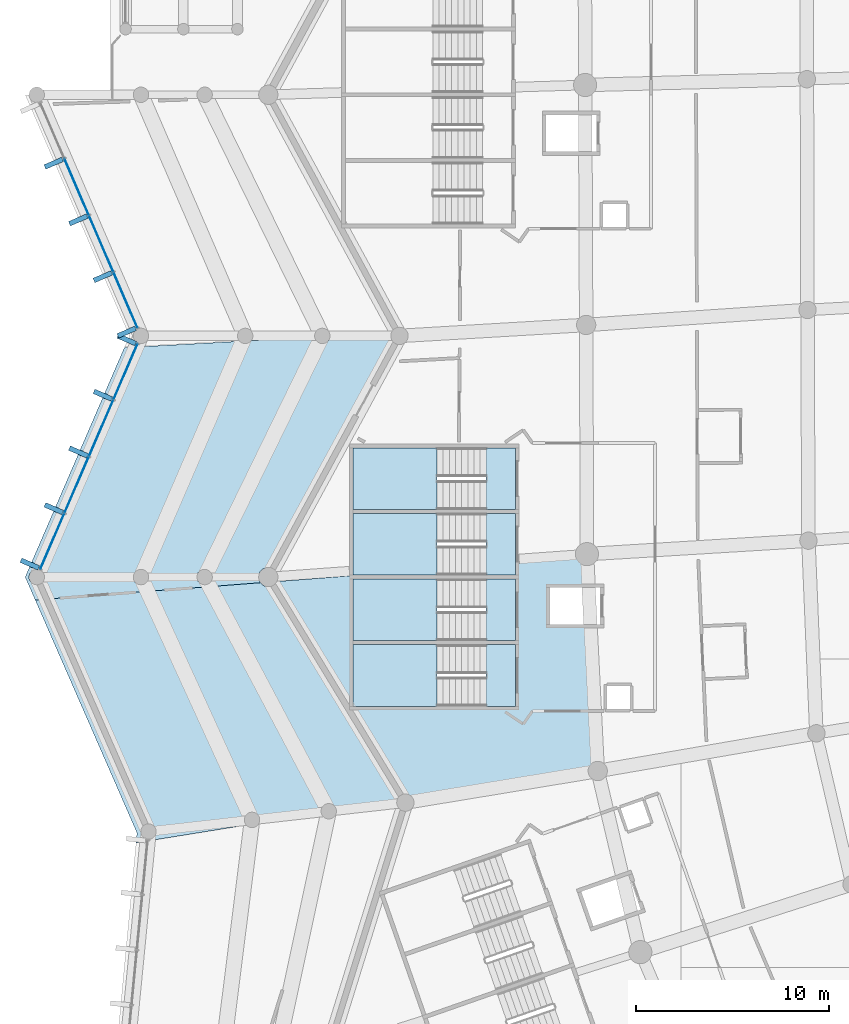
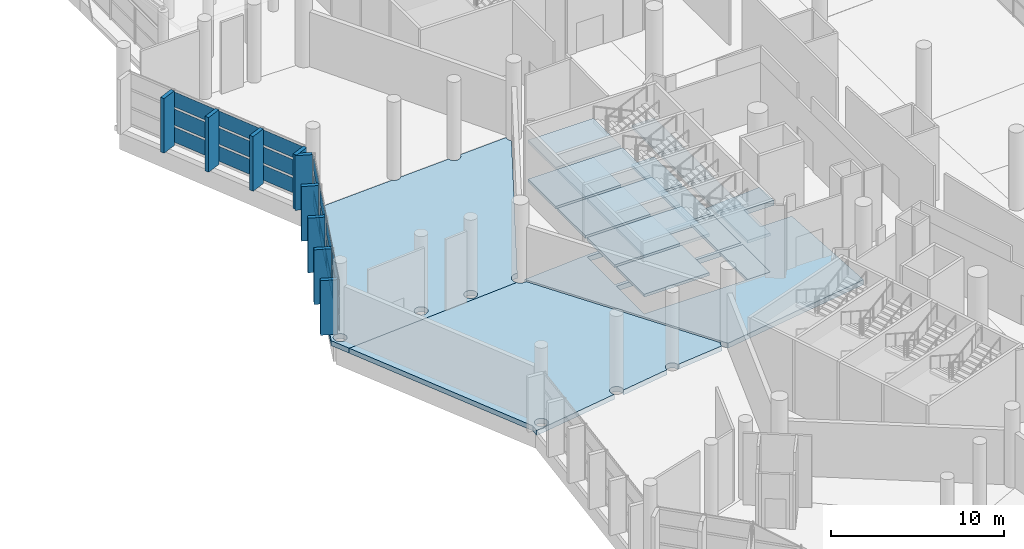
# One storey, part 121 of 271: 30 plates, 19 slabs, 6 elements without a shape of their own.
"""IFC4 building model written with IfcOpenShell, lengths in metres."""

from ifc_helpers import new_model, si_unit, direction, frame, origin, origin_2d, place, context, subcontext, project, spatial, polyline, rectangle, outline, extrude, material, layer, layer_set, type_object, element, aggregate, save


model = new_model("IFC4")

# Units and contexts
model_context = context("Model", 3, precision=1e-05, world=origin(), true_north=direction((0.0, 1.0)))
body_context = subcontext(model_context, "Body", "Model", "MODEL_VIEW")
ifc_project = project(units=[si_unit("LENGTHUNIT", "METRE"), si_unit("AREAUNIT", "SQUARE_METRE"), si_unit("VOLUMEUNIT", "CUBIC_METRE"), si_unit("PLANEANGLEUNIT", "RADIAN"), si_unit("MASSUNIT", "GRAM", prefix="KILO")], contexts=[model_context])

# Site, building, storey
site_placement = place(None, origin())
site = spatial("IfcSite", under=ifc_project, at=site_placement, CompositionType="ELEMENT")
building_placement = place(site_placement, origin())
building = spatial("IfcBuilding", under=site, at=building_placement, Name="Meseta Stadium", CompositionType="ELEMENT")
storey_placement = place(building_placement, frame((0.0, 0.0, 6.5)))
storey = spatial("IfcBuildingStorey", under=building, at=storey_placement, Name="L01", CompositionType="ELEMENT", Elevation=6.5)

# Slabs
ifc_material_1 = material(Name="Concrete C40/50", Category="concrete")
ifc_layer_1 = layer(ifc_material_1, 0.35009765625)
ifc_layer_set_1 = layer_set([ifc_layer_1], Name="Floor slab 350")
slab_type_1 = type_object("IfcSlabType", Name="Floor slab 350", PredefinedType="FLOOR", material=ifc_layer_set_1)
slab_1_placement = place(storey_placement, frame((0.0, 0.0, -0.35009765625)))
element("IfcSlab", 1, at=slab_1_placement, inside=storey, type_object=slab_type_1, Name="Floor slab L01 sector 35 panel 02", PredefinedType="FLOOR", context=body_context, shape_type="SweptSolid", body=[
    extrude(outline(polyline([(-88.60009765625, -43.028564453125), (-88.60009765625, -43.64990234375), (-96.697021484375, -43.64990234375), (-101.24853515625, -43.999267578125), (-94.29443359375, -55.44140625), (-84.3251953125, -53.801513671875), (-84.703125, -46.199951171875), (-86.800048828125, -46.199951171875), (-86.800048828125, -44.300048828125), (-84.797607421875, -44.300048828125), (-84.875, -42.74267578125), (-88.60009765625, -43.028564453125)]), holes=[polyline([(-97.0, -47.25), (-88.60009765625, -47.25), (-88.60009765625, -50.449951171875), (-97.0, -50.449951171875), (-97.0, -47.25)]), polyline([(-97.0, -47.050048828125), (-97.0, -43.85009765625), (-88.60009765625, -43.85009765625), (-88.60009765625, -47.050048828125), (-97.0, -47.050048828125)])]), origin(), (0.0, 0.0, 1.0), 0.35009765625),
])
slab_2_placement = place(storey_placement, frame((0.0, 0.0, -0.35009765625)))
element("IfcSlab", 2, at=slab_2_placement, inside=storey, type_object=slab_type_1, Name="Ring floor slab L01 5 part 2 panel 01", PredefinedType="FLOOR", context=body_context, shape_type="SweptSolid", body=[
    extrude(outline(polyline([(-102.890869140625, -31.5283203125), (-108.861572265625, -31.85546875), (-114.0, -43.75), (-113.480712890625, -44.938232421875), (-101.80615234375, -44.0419921875), (-101.836669921875, -44.002197265625), (-101.88720703125, -43.880615234375), (-101.904296875, -43.75), (-101.88720703125, -43.619384765625), (-101.836669921875, -43.497802734375), (-101.756591796875, -43.393310546875), (-101.652099609375, -43.313232421875), (-101.530517578125, -43.262939453125), (-101.39990234375, -43.24560546875), (-101.30322265625, -43.25830078125), (-94.935302734375, -31.55224609375), (-94.9931640625, -31.476806640625), (-95.038330078125, -31.367431640625), (-95.053955078125, -31.25), (-95.038330078125, -31.132568359375), (-95.023681640625, -31.0966796875), (-98.19921875, -31.27099609375), (-98.210205078125, -31.3544921875), (-98.25048828125, -31.45166015625), (-98.314697265625, -31.535400390625), (-98.398193359375, -31.599365234375), (-98.49560546875, -31.6396484375), (-98.60009765625, -31.653564453125), (-98.704345703125, -31.6396484375), (-98.8017578125, -31.599365234375), (-98.88525390625, -31.535400390625), (-98.949462890625, -31.45166015625), (-98.98974609375, -31.3544921875), (-98.9951171875, -31.314697265625), (-102.28369140625, -31.494873046875), (-102.314697265625, -31.535400390625), (-102.398193359375, -31.599365234375), (-102.49560546875, -31.6396484375), (-102.60009765625, -31.653564453125), (-102.704345703125, -31.6396484375), (-102.8017578125, -31.599365234375), (-102.88525390625, -31.535400390625), (-102.890869140625, -31.5283203125)]), holes=[polyline([(-104.498291015625, -44.099365234375), (-104.595703125, -44.1396484375), (-104.699951171875, -44.153564453125), (-104.804443359375, -44.1396484375), (-104.901611328125, -44.099365234375), (-104.9853515625, -44.035400390625), (-105.04931640625, -43.95166015625), (-105.089599609375, -43.8544921875), (-105.103515625, -43.75), (-105.089599609375, -43.6455078125), (-105.04931640625, -43.54833984375), (-104.9853515625, -43.464599609375), (-104.901611328125, -43.400634765625), (-104.804443359375, -43.3603515625), (-104.699951171875, -43.346435546875), (-104.595703125, -43.3603515625), (-104.498291015625, -43.400634765625), (-104.414794921875, -43.464599609375), (-104.3505859375, -43.54833984375), (-104.310302734375, -43.6455078125), (-104.29638671875, -43.75), (-104.310302734375, -43.8544921875), (-104.3505859375, -43.95166015625), (-104.414794921875, -44.035400390625), (-104.498291015625, -44.099365234375)]), polyline([(-107.650634765625, -43.95166015625), (-107.714599609375, -44.035400390625), (-107.79833984375, -44.099365234375), (-107.8955078125, -44.1396484375), (-108.0, -44.153564453125), (-108.1044921875, -44.1396484375), (-108.20166015625, -44.099365234375), (-108.285400390625, -44.035400390625), (-108.349365234375, -43.95166015625), (-108.3896484375, -43.8544921875), (-108.403564453125, -43.75), (-108.3896484375, -43.6455078125), (-108.349365234375, -43.54833984375), (-108.285400390625, -43.464599609375), (-108.20166015625, -43.400634765625), (-108.1044921875, -43.3603515625), (-108.0, -43.346435546875), (-107.8955078125, -43.3603515625), (-107.79833984375, -43.400634765625), (-107.714599609375, -43.464599609375), (-107.650634765625, -43.54833984375), (-107.6103515625, -43.6455078125), (-107.596435546875, -43.75), (-107.6103515625, -43.8544921875), (-107.650634765625, -43.95166015625)]), polyline([(-113.601806640625, -44.099365234375), (-113.685302734375, -44.035400390625), (-113.74951171875, -43.95166015625), (-113.789794921875, -43.8544921875), (-113.803466796875, -43.75), (-113.789794921875, -43.6455078125), (-113.74951171875, -43.54833984375), (-113.685302734375, -43.464599609375), (-113.601806640625, -43.400634765625), (-113.50439453125, -43.3603515625), (-113.39990234375, -43.346435546875), (-113.295654296875, -43.3603515625), (-113.1982421875, -43.400634765625), (-113.11474609375, -43.464599609375), (-113.050537109375, -43.54833984375), (-113.01025390625, -43.6455078125), (-112.99658203125, -43.75), (-113.01025390625, -43.8544921875), (-113.050537109375, -43.95166015625), (-113.11474609375, -44.035400390625), (-113.1982421875, -44.099365234375), (-113.295654296875, -44.1396484375), (-113.39990234375, -44.153564453125), (-113.50439453125, -44.1396484375), (-113.601806640625, -44.099365234375)])]), origin(), (0.0, 0.0, 1.0), 0.35009765625),
])
slab_3_placement = place(storey_placement, frame((0.0, 0.0, -0.35009765625)))
element("IfcSlab", 3, at=slab_3_placement, inside=storey, type_object=slab_type_1, Name="Ring floor slab L01 5 part 2 panel 02", PredefinedType="FLOOR", context=body_context, shape_type="SweptSolid", body=[
    extrude(outline(polyline([(-108.255615234375, -57.526611328125), (-102.541748046875, -56.606201171875), (-102.593505859375, -56.538818359375), (-102.6337890625, -56.441650390625), (-102.647705078125, -56.337158203125), (-102.6337890625, -56.23291015625), (-102.593505859375, -56.135498046875), (-102.529296875, -56.052001953125), (-102.44580078125, -55.98779296875), (-102.348388671875, -55.947509765625), (-102.244140625, -55.93359375), (-102.1396484375, -55.947509765625), (-102.04248046875, -55.98779296875), (-101.958740234375, -56.052001953125), (-101.894775390625, -56.135498046875), (-101.8544921875, -56.23291015625), (-101.8408203125, -56.337158203125), (-101.8544921875, -56.441650390625), (-101.87841796875, -56.49951171875), (-98.66064453125, -55.981201171875), (-98.672607421875, -55.889404296875), (-98.658935546875, -55.784912109375), (-98.61865234375, -55.6875), (-98.554443359375, -55.60400390625), (-98.470947265625, -55.539794921875), (-98.373779296875, -55.49951171875), (-98.269287109375, -55.48583984375), (-98.164794921875, -55.49951171875), (-98.0673828125, -55.539794921875), (-97.98388671875, -55.60400390625), (-97.919921875, -55.6875), (-97.879638671875, -55.784912109375), (-97.87158203125, -55.844482421875), (-94.74169921875, -55.491943359375), (-94.748291015625, -55.44140625), (-94.73291015625, -55.323974609375), (-94.6875, -55.214599609375), (-94.64306640625, -55.156494140625), (-101.27880859375, -44.23828125), (-101.39990234375, -44.25439453125), (-101.530517578125, -44.237060546875), (-101.652099609375, -44.186767578125), (-101.756591796875, -44.106689453125), (-101.80615234375, -44.0419921875), (-113.480712890625, -44.938232421875), (-108.206298828125, -57.009033203125), (-108.255615234375, -57.526611328125)]), holes=[polyline([(-107.959716796875, -56.739990234375), (-107.8955078125, -56.656494140625), (-107.81201171875, -56.59228515625), (-107.714599609375, -56.552001953125), (-107.610107421875, -56.538330078125), (-107.505615234375, -56.552001953125), (-107.408447265625, -56.59228515625), (-107.324951171875, -56.656494140625), (-107.2607421875, -56.739990234375), (-107.220458984375, -56.83740234375), (-107.206787109375, -56.94189453125), (-107.220458984375, -57.046142578125), (-107.2607421875, -57.1435546875), (-107.324951171875, -57.22705078125), (-107.408447265625, -57.291259765625), (-107.505615234375, -57.33154296875), (-107.610107421875, -57.34521484375), (-107.714599609375, -57.33154296875), (-107.81201171875, -57.291259765625), (-107.8955078125, -57.22705078125), (-107.959716796875, -57.1435546875), (-108.0, -57.046142578125), (-108.013671875, -56.94189453125), (-108.0, -56.83740234375), (-107.959716796875, -56.739990234375)])]), origin(), (0.0, 0.0, 1.0), 0.35009765625),
])

# Curtain wall, plates
ifc_material_2 = material(Name="Aluminium", Category="aluminium")
ifc_layer_2 = layer(ifc_material_2, 0.199951171875)
ifc_layer_set_2 = layer_set([ifc_layer_2], Name="Ring shopfront curtain wall")
curtain_wall_type = type_object("IfcCurtainWallType", Name="Ring shopfront curtain wall", PredefinedType="NOTDEFINED", material=ifc_layer_set_2)
curtain_wall_1_placement = place(storey_placement, origin())
curtain_wall_1 = element("IfcCurtainWall", 4, at=curtain_wall_1_placement, inside=storey, type_object=curtain_wall_type, Name="Ring glazing L01 F34", PredefinedType="NOTDEFINED")
ifc_material_3 = material(Name="Glass", Category="glass")
ifc_layer_3 = layer(ifc_material_3, 0.035888671875)
ifc_layer_set_3 = layer_set([ifc_layer_3], Name="Ring CW glass panel 36")
plate_type_1 = type_object("IfcPlateType", Name="Ring CW glass panel 36", PredefinedType="CURTAIN_PANEL", material=ifc_layer_set_3)
plate_1_placement = place(storey_placement, frame((-111.33544921875, -23.529296875, 0.14990234375), z_axis=(0.0, 0.0, 1.0), x_axis=(0.396580687073, -0.91799986854, 0.0)))
plate_1 = element("IfcPlate", 5, at=plate_1_placement, type_object=plate_type_1, Name="CWR1 panel 2.1", PredefinedType="CURTAIN_PANEL", context=body_context, shape_type="SweptSolid", body=[
    extrude(rectangle(XDim=3.14404296875, YDim=0.035888671875, at=origin_2d()), origin(), (0.0, 0.0, 1.0), 1.058349609375),
])
plate_2_placement = place(storey_placement, frame((-111.33544921875, -23.529296875, 1.3583984375), z_axis=(0.0, 0.0, 1.0), x_axis=(0.396580687073, -0.91799986854, 0.0)))
plate_2 = element("IfcPlate", 6, at=plate_2_placement, type_object=plate_type_1, Name="CWR1 panel 2.2", PredefinedType="CURTAIN_PANEL", context=body_context, shape_type="SweptSolid", body=[
    extrude(rectangle(XDim=3.14404296875, YDim=0.035888671875, at=origin_2d()), origin(), (0.0, 0.0, 1.0), 1.13330078125),
])
plate_3_placement = place(storey_placement, frame((-111.33544921875, -23.529296875, 2.6416015625), z_axis=(0.0, 0.0, 1.0), x_axis=(0.396580687073, -0.91799986854, 0.0)))
plate_3 = element("IfcPlate", 7, at=plate_3_placement, type_object=plate_type_1, Name="CWR1 panel 2.3", PredefinedType="CURTAIN_PANEL", context=body_context, shape_type="SweptSolid", body=[
    extrude(rectangle(XDim=3.14404296875, YDim=0.035888671875, at=origin_2d()), origin(), (0.0, 0.0, 1.0), 1.058349609375),
])
plate_4_placement = place(storey_placement, frame((-110.064697265625, -26.470703125, 0.14990234375), z_axis=(0.0, 0.0, 1.0), x_axis=(0.396580687073, -0.91799986854, 0.0)))
plate_4 = element("IfcPlate", 8, at=plate_4_placement, type_object=plate_type_1, Name="CWR1 panel 3.1", PredefinedType="CURTAIN_PANEL", context=body_context, shape_type="SweptSolid", body=[
    extrude(rectangle(XDim=3.14404296875, YDim=0.035888671875, at=origin_2d()), origin(), (0.0, 0.0, 1.0), 1.058349609375),
])
plate_5_placement = place(storey_placement, frame((-110.064697265625, -26.470703125, 1.3583984375), z_axis=(0.0, 0.0, 1.0), x_axis=(0.396580687073, -0.91799986854, 0.0)))
plate_5 = element("IfcPlate", 9, at=plate_5_placement, type_object=plate_type_1, Name="CWR1 panel 3.2", PredefinedType="CURTAIN_PANEL", context=body_context, shape_type="SweptSolid", body=[
    extrude(rectangle(XDim=3.14404296875, YDim=0.035888671875, at=origin_2d()), origin(), (0.0, 0.0, 1.0), 1.13330078125),
])
plate_6_placement = place(storey_placement, frame((-110.064697265625, -26.470703125, 2.6416015625), z_axis=(0.0, 0.0, 1.0), x_axis=(0.396580687073, -0.91799986854, 0.0)))
plate_6 = element("IfcPlate", 10, at=plate_6_placement, type_object=plate_type_1, Name="CWR1 panel 3.3", PredefinedType="CURTAIN_PANEL", context=body_context, shape_type="SweptSolid", body=[
    extrude(rectangle(XDim=3.14404296875, YDim=0.035888671875, at=origin_2d()), origin(), (0.0, 0.0, 1.0), 1.058349609375),
])
plate_7_placement = place(storey_placement, frame((-108.7998046875, -29.3984375, 0.14990234375), z_axis=(0.0, 0.0, 1.0), x_axis=(0.396580687073, -0.91799986854, 0.0)))
plate_7 = element("IfcPlate", 11, at=plate_7_placement, type_object=plate_type_1, Name="CWR1 panel 4.1", PredefinedType="CURTAIN_PANEL", context=body_context, shape_type="SweptSolid", body=[
    extrude(rectangle(XDim=3.1142578125, YDim=0.035888671875, at=origin_2d()), origin(), (0.0, 0.0, 1.0), 1.058349609375),
])
plate_8_placement = place(storey_placement, frame((-108.7998046875, -29.3984375, 1.3583984375), z_axis=(0.0, 0.0, 1.0), x_axis=(0.396580687073, -0.91799986854, 0.0)))
plate_8 = element("IfcPlate", 12, at=plate_8_placement, type_object=plate_type_1, Name="CWR1 panel 4.2", PredefinedType="CURTAIN_PANEL", context=body_context, shape_type="SweptSolid", body=[
    extrude(rectangle(XDim=3.1142578125, YDim=0.035888671875, at=origin_2d()), origin(), (0.0, 0.0, 1.0), 1.13330078125),
])
plate_9_placement = place(storey_placement, frame((-108.7998046875, -29.3984375, 2.6416015625), z_axis=(0.0, 0.0, 1.0), x_axis=(0.396580687073, -0.91799986854, 0.0)))
plate_9 = element("IfcPlate", 13, at=plate_9_placement, type_object=plate_type_1, Name="CWR1 panel 4.3", PredefinedType="CURTAIN_PANEL", context=body_context, shape_type="SweptSolid", body=[
    extrude(rectangle(XDim=3.1142578125, YDim=0.035888671875, at=origin_2d()), origin(), (0.0, 0.0, 1.0), 1.058349609375),
])
aggregate(curtain_wall_1, [plate_1, plate_2, plate_3, plate_4, plate_5, plate_6, plate_7, plate_8, plate_9])

curtain_wall_2_placement = place(storey_placement, origin())
curtain_wall_2 = element("IfcCurtainWall", 14, at=curtain_wall_2_placement, inside=storey, type_object=curtain_wall_type, Name="Ring glazing L01 F35", PredefinedType="NOTDEFINED")
plate_10_placement = place(storey_placement, frame((-108.7998046875, -33.1015625, 0.14990234375), z_axis=(0.0, 0.0, 1.0), x_axis=(-0.396580687073, -0.91799986854, 0.0)))
plate_10 = element("IfcPlate", 15, at=plate_10_placement, type_object=plate_type_1, Name="CWR1 panel 1.1", PredefinedType="CURTAIN_PANEL", context=body_context, shape_type="SweptSolid", body=[
    extrude(rectangle(XDim=3.1142578125, YDim=0.035888671875, at=origin_2d()), origin(), (0.0, 0.0, 1.0), 1.058349609375),
])
plate_11_placement = place(storey_placement, frame((-108.7998046875, -33.1015625, 1.3583984375), z_axis=(0.0, 0.0, 1.0), x_axis=(-0.396580687073, -0.91799986854, 0.0)))
plate_11 = element("IfcPlate", 16, at=plate_11_placement, type_object=plate_type_1, Name="CWR1 panel 1.2", PredefinedType="CURTAIN_PANEL", context=body_context, shape_type="SweptSolid", body=[
    extrude(rectangle(XDim=3.1142578125, YDim=0.035888671875, at=origin_2d()), origin(), (0.0, 0.0, 1.0), 1.13330078125),
])
plate_12_placement = place(storey_placement, frame((-108.7998046875, -33.1015625, 2.6416015625), z_axis=(0.0, 0.0, 1.0), x_axis=(-0.396580687073, -0.91799986854, 0.0)))
plate_12 = element("IfcPlate", 17, at=plate_12_placement, type_object=plate_type_1, Name="CWR1 panel 1.3", PredefinedType="CURTAIN_PANEL", context=body_context, shape_type="SweptSolid", body=[
    extrude(rectangle(XDim=3.1142578125, YDim=0.035888671875, at=origin_2d()), origin(), (0.0, 0.0, 1.0), 1.058349609375),
])
plate_13_placement = place(storey_placement, frame((-110.064697265625, -36.029296875, 0.14990234375), z_axis=(0.0, 0.0, 1.0), x_axis=(-0.396580687073, -0.91799986854, 0.0)))
plate_13 = element("IfcPlate", 18, at=plate_13_placement, type_object=plate_type_1, Name="CWR1 panel 2.1", PredefinedType="CURTAIN_PANEL", context=body_context, shape_type="SweptSolid", body=[
    extrude(rectangle(XDim=3.14404296875, YDim=0.035888671875, at=origin_2d()), origin(), (0.0, 0.0, 1.0), 1.058349609375),
])
plate_14_placement = place(storey_placement, frame((-110.064697265625, -36.029296875, 1.3583984375), z_axis=(0.0, 0.0, 1.0), x_axis=(-0.396580687073, -0.91799986854, 0.0)))
plate_14 = element("IfcPlate", 19, at=plate_14_placement, type_object=plate_type_1, Name="CWR1 panel 2.2", PredefinedType="CURTAIN_PANEL", context=body_context, shape_type="SweptSolid", body=[
    extrude(rectangle(XDim=3.14404296875, YDim=0.035888671875, at=origin_2d()), origin(), (0.0, 0.0, 1.0), 1.13330078125),
])
plate_15_placement = place(storey_placement, frame((-110.064697265625, -36.029296875, 2.6416015625), z_axis=(0.0, 0.0, 1.0), x_axis=(-0.396580687073, -0.91799986854, 0.0)))
plate_15 = element("IfcPlate", 20, at=plate_15_placement, type_object=plate_type_1, Name="CWR1 panel 2.3", PredefinedType="CURTAIN_PANEL", context=body_context, shape_type="SweptSolid", body=[
    extrude(rectangle(XDim=3.14404296875, YDim=0.035888671875, at=origin_2d()), origin(), (0.0, 0.0, 1.0), 1.058349609375),
])
plate_16_placement = place(storey_placement, frame((-111.33544921875, -38.970703125, 0.14990234375), z_axis=(0.0, 0.0, 1.0), x_axis=(-0.396580687073, -0.91799986854, 0.0)))
plate_16 = element("IfcPlate", 21, at=plate_16_placement, type_object=plate_type_1, Name="CWR1 panel 3.1", PredefinedType="CURTAIN_PANEL", context=body_context, shape_type="SweptSolid", body=[
    extrude(rectangle(XDim=3.14404296875, YDim=0.035888671875, at=origin_2d()), origin(), (0.0, 0.0, 1.0), 1.058349609375),
])
plate_17_placement = place(storey_placement, frame((-111.33544921875, -38.970703125, 1.3583984375), z_axis=(0.0, 0.0, 1.0), x_axis=(-0.396580687073, -0.91799986854, 0.0)))
plate_17 = element("IfcPlate", 22, at=plate_17_placement, type_object=plate_type_1, Name="CWR1 panel 3.2", PredefinedType="CURTAIN_PANEL", context=body_context, shape_type="SweptSolid", body=[
    extrude(rectangle(XDim=3.14404296875, YDim=0.035888671875, at=origin_2d()), origin(), (0.0, 0.0, 1.0), 1.13330078125),
])
plate_18_placement = place(storey_placement, frame((-111.33544921875, -38.970703125, 2.6416015625), z_axis=(0.0, 0.0, 1.0), x_axis=(-0.396580687073, -0.91799986854, 0.0)))
plate_18 = element("IfcPlate", 23, at=plate_18_placement, type_object=plate_type_1, Name="CWR1 panel 3.3", PredefinedType="CURTAIN_PANEL", context=body_context, shape_type="SweptSolid", body=[
    extrude(rectangle(XDim=3.14404296875, YDim=0.035888671875, at=origin_2d()), origin(), (0.0, 0.0, 1.0), 1.058349609375),
])
plate_19_placement = place(storey_placement, frame((-112.60009765625, -41.8984375, 0.14990234375), z_axis=(0.0, 0.0, 1.0), x_axis=(-0.396580687073, -0.91799986854, 0.0)))
plate_19 = element("IfcPlate", 24, at=plate_19_placement, type_object=plate_type_1, Name="CWR1 panel 4.1", PredefinedType="CURTAIN_PANEL", context=body_context, shape_type="SweptSolid", body=[
    extrude(rectangle(XDim=3.1142578125, YDim=0.035888671875, at=origin_2d()), origin(), (0.0, 0.0, 1.0), 1.058349609375),
])
plate_20_placement = place(storey_placement, frame((-112.60009765625, -41.8984375, 1.3583984375), z_axis=(0.0, 0.0, 1.0), x_axis=(-0.396580687073, -0.91799986854, 0.0)))
plate_20 = element("IfcPlate", 25, at=plate_20_placement, type_object=plate_type_1, Name="CWR1 panel 4.2", PredefinedType="CURTAIN_PANEL", context=body_context, shape_type="SweptSolid", body=[
    extrude(rectangle(XDim=3.1142578125, YDim=0.035888671875, at=origin_2d()), origin(), (0.0, 0.0, 1.0), 1.13330078125),
])
plate_21_placement = place(storey_placement, frame((-112.60009765625, -41.8984375, 2.6416015625), z_axis=(0.0, 0.0, 1.0), x_axis=(-0.396580687073, -0.91799986854, 0.0)))
plate_21 = element("IfcPlate", 26, at=plate_21_placement, type_object=plate_type_1, Name="CWR1 panel 4.3", PredefinedType="CURTAIN_PANEL", context=body_context, shape_type="SweptSolid", body=[
    extrude(rectangle(XDim=3.1142578125, YDim=0.035888671875, at=origin_2d()), origin(), (0.0, 0.0, 1.0), 1.058349609375),
])
aggregate(curtain_wall_2, [plate_10, plate_11, plate_12, plate_13, plate_14, plate_15, plate_16, plate_17, plate_18, plate_19, plate_20, plate_21])

# Plates
ifc_material_4 = material(Name="Precast concrete C40/50", Category="concrete")
ifc_layer_4 = layer(ifc_material_4, 0.25)
ifc_layer_set_4 = layer_set([ifc_layer_4], Name="Ring brise-soleil fin 250x1000")
plate_type_2 = type_object("IfcPlateType", Name="Ring brise-soleil fin 250x1000", PredefinedType="USERDEFINED", material=ifc_layer_set_4)
for number, where, z_axis, x_axis, name in (
    (27, (-112.521484375, -22.29638671875, 0.0), (0.0, 0.0, 1.0), (0.396575976693, -0.918001903435, 0.0), "Brise-soleil fin L01 F34.2"),
    (28, (-111.250732421875, -25.23779296875, 0.0), (0.0, 0.0, 1.0), (0.396575976693, -0.918001903435, 0.0), "Brise-soleil fin L01 F34.3"),
    (29, (-109.97998046875, -28.17919921875, 0.0), (0.0, 0.0, 1.0), (0.396575976693, -0.918001903435, 0.0), "Brise-soleil fin L01 F34.4"),
    (30, (-108.7392578125, -31.052001953125, 0.0), (0.0, 0.0, 1.0), (0.396575976693, -0.918001903435, 0.0), "Brise-soleil fin L01 F34.5"),
    (31, (-108.7392578125, -31.447998046875, 0.0), (0.0, 0.0, 1.0), (-0.396575976693, -0.918001903435, 0.0), "Brise-soleil fin L01 F35.1"),
    (32, (-109.97998046875, -34.32080078125, 0.0), (0.0, 0.0, 1.0), (-0.396575976693, -0.918001903435, 0.0), "Brise-soleil fin L01 F35.2"),
    (33, (-111.250732421875, -37.26220703125, 0.0), (0.0, 0.0, 1.0), (-0.396575976693, -0.918001903435, 0.0), "Brise-soleil fin L01 F35.3"),
    (34, (-112.521484375, -40.20361328125, 0.0), (0.0, 0.0, 1.0), (-0.396575976693, -0.918001903435, 0.0), "Brise-soleil fin L01 F35.4"),
    (35, (-113.762451171875, -43.075927734375, 0.0), (0.0, 0.0, 1.0), (-0.396575976693, -0.918001903435, 0.0), "Brise-soleil fin L01 F35.5"),
):
    element("IfcPlate", number, at=place(storey_placement, frame(where, z_axis=z_axis, x_axis=x_axis)), inside=storey, type_object=plate_type_2, Name=name, ObjectType="FIN", PredefinedType="USERDEFINED", context=body_context, shape_type="SweptSolid", body=[
        extrude(rectangle(XDim=0.25, YDim=1.0, at=origin_2d()), origin(), (0.0, 0.0, 1.0), 3.85009765625),
    ])

# Stair, slabs
ifc_material_5 = material(Name="Concrete C40/50", Category="concrete")
stair_type = type_object("IfcStairType", Name="Exit stair 4 flights 153 mm risers", PredefinedType="HALF_TURN_STAIR", material=ifc_material_5)
stair_1_placement = place(storey_placement, origin())
stair_1 = element("IfcStair", 36, at=stair_1_placement, inside=storey, type_object=stair_type, Name="ST73 L01", PredefinedType="HALF_TURN_STAIR")
ifc_material_6 = material(Name="Concrete C40/50", Category="concrete")
ifc_layer_5 = layer(ifc_material_6, 0.199951171875)
ifc_layer_set_5 = layer_set([ifc_layer_5], Name="Stair landing 200")
slab_type_2 = type_object("IfcSlabType", Name="Stair landing 200", PredefinedType="LANDING", material=ifc_layer_set_5)
slab_4_placement = place(storey_placement, frame((0.0, 0.0, 1.175048828125)))
slab_4 = element("IfcSlab", 37, at=slab_4_placement, type_object=slab_type_2, Name="ST73 L01 landing 1", PredefinedType="LANDING", context=body_context, shape_type="SweptSolid", body=[
    extrude(outline(polyline([(-92.64990234375, -37.050048828125), (-97.0, -37.050048828125), (-97.0, -40.25), (-92.64990234375, -40.25), (-92.64990234375, -37.050048828125)])), origin(), (0.0, 0.0, 1.0), 0.199951171875),
])
slab_5_placement = place(storey_placement, frame((0.0, 0.0, 2.550048828125)))
slab_5 = element("IfcSlab", 38, at=slab_5_placement, type_object=slab_type_2, Name="ST73 L01 landing 2", PredefinedType="LANDING", context=body_context, shape_type="SweptSolid", body=[
    extrude(outline(polyline([(-88.60009765625, -37.050048828125), (-90.110107421875, -37.050048828125), (-90.110107421875, -40.25), (-88.60009765625, -40.25), (-88.60009765625, -37.050048828125)])), origin(), (0.0, 0.0, 1.0), 0.199951171875),
])
slab_6_placement = place(storey_placement, frame((0.0, 0.0, 3.925048828125)))
slab_6 = element("IfcSlab", 39, at=slab_6_placement, type_object=slab_type_2, Name="ST73 L01 landing 3", PredefinedType="LANDING", context=body_context, shape_type="SweptSolid", body=[
    extrude(outline(polyline([(-92.64990234375, -37.050048828125), (-97.0, -37.050048828125), (-97.0, -40.25), (-92.64990234375, -40.25), (-92.64990234375, -37.050048828125)])), origin(), (0.0, 0.0, 1.0), 0.199951171875),
])
slab_7_placement = place(storey_placement, frame((0.0, 0.0, -0.199951171875)))
slab_7 = element("IfcSlab", 40, at=slab_7_placement, type_object=slab_type_2, Name="ST73 L01 landing 4", PredefinedType="LANDING", context=body_context, shape_type="SweptSolid", body=[
    extrude(outline(polyline([(-88.60009765625, -37.050048828125), (-90.110107421875, -37.050048828125), (-90.110107421875, -40.25), (-88.60009765625, -40.25), (-88.60009765625, -37.050048828125)])), origin(), (0.0, 0.0, 1.0), 0.199951171875),
])
aggregate(stair_1, [slab_4, slab_5, slab_6, slab_7])

stair_2_placement = place(storey_placement, origin())
stair_2 = element("IfcStair", 41, at=stair_2_placement, inside=storey, type_object=stair_type, Name="ST74 L01", PredefinedType="HALF_TURN_STAIR")
slab_8_placement = place(storey_placement, frame((0.0, 0.0, 1.175048828125)))
slab_8 = element("IfcSlab", 42, at=slab_8_placement, type_object=slab_type_2, Name="ST74 L01 landing 1", PredefinedType="LANDING", context=body_context, shape_type="SweptSolid", body=[
    extrude(outline(polyline([(-92.64990234375, -40.449951171875), (-97.0, -40.449951171875), (-97.0, -43.64990234375), (-92.64990234375, -43.64990234375), (-92.64990234375, -40.449951171875)])), origin(), (0.0, 0.0, 1.0), 0.199951171875),
])
slab_9_placement = place(storey_placement, frame((0.0, 0.0, 2.550048828125)))
slab_9 = element("IfcSlab", 43, at=slab_9_placement, type_object=slab_type_2, Name="ST74 L01 landing 2", PredefinedType="LANDING", context=body_context, shape_type="SweptSolid", body=[
    extrude(outline(polyline([(-88.60009765625, -40.449951171875), (-90.110107421875, -40.449951171875), (-90.110107421875, -43.64990234375), (-88.60009765625, -43.64990234375), (-88.60009765625, -40.449951171875)])), origin(), (0.0, 0.0, 1.0), 0.199951171875),
])
slab_10_placement = place(storey_placement, frame((0.0, 0.0, 3.925048828125)))
slab_10 = element("IfcSlab", 44, at=slab_10_placement, type_object=slab_type_2, Name="ST74 L01 landing 3", PredefinedType="LANDING", context=body_context, shape_type="SweptSolid", body=[
    extrude(outline(polyline([(-92.64990234375, -40.449951171875), (-97.0, -40.449951171875), (-97.0, -43.64990234375), (-92.64990234375, -43.64990234375), (-92.64990234375, -40.449951171875)])), origin(), (0.0, 0.0, 1.0), 0.199951171875),
])
slab_11_placement = place(storey_placement, frame((0.0, 0.0, -0.199951171875)))
slab_11 = element("IfcSlab", 45, at=slab_11_placement, type_object=slab_type_2, Name="ST74 L01 landing 4", PredefinedType="LANDING", context=body_context, shape_type="SweptSolid", body=[
    extrude(outline(polyline([(-88.60009765625, -40.449951171875), (-90.110107421875, -40.449951171875), (-90.110107421875, -43.64990234375), (-88.60009765625, -43.64990234375), (-88.60009765625, -40.449951171875)])), origin(), (0.0, 0.0, 1.0), 0.199951171875),
])
aggregate(stair_2, [slab_8, slab_9, slab_10, slab_11])

stair_3_placement = place(storey_placement, origin())
stair_3 = element("IfcStair", 46, at=stair_3_placement, inside=storey, type_object=stair_type, Name="ST75 L01", PredefinedType="HALF_TURN_STAIR")
slab_12_placement = place(storey_placement, frame((0.0, 0.0, 1.175048828125)))
slab_12 = element("IfcSlab", 47, at=slab_12_placement, type_object=slab_type_2, Name="ST75 L01 landing 1", PredefinedType="LANDING", context=body_context, shape_type="SweptSolid", body=[
    extrude(outline(polyline([(-92.64990234375, -43.85009765625), (-97.0, -43.85009765625), (-97.0, -47.050048828125), (-92.64990234375, -47.050048828125), (-92.64990234375, -43.85009765625)])), origin(), (0.0, 0.0, 1.0), 0.199951171875),
])
slab_13_placement = place(storey_placement, frame((0.0, 0.0, 2.550048828125)))
slab_13 = element("IfcSlab", 48, at=slab_13_placement, type_object=slab_type_2, Name="ST75 L01 landing 2", PredefinedType="LANDING", context=body_context, shape_type="SweptSolid", body=[
    extrude(outline(polyline([(-88.60009765625, -43.85009765625), (-90.110107421875, -43.85009765625), (-90.110107421875, -47.050048828125), (-88.60009765625, -47.050048828125), (-88.60009765625, -43.85009765625)])), origin(), (0.0, 0.0, 1.0), 0.199951171875),
])
slab_14_placement = place(storey_placement, frame((0.0, 0.0, 3.925048828125)))
slab_14 = element("IfcSlab", 49, at=slab_14_placement, type_object=slab_type_2, Name="ST75 L01 landing 3", PredefinedType="LANDING", context=body_context, shape_type="SweptSolid", body=[
    extrude(outline(polyline([(-92.64990234375, -43.85009765625), (-97.0, -43.85009765625), (-97.0, -47.050048828125), (-92.64990234375, -47.050048828125), (-92.64990234375, -43.85009765625)])), origin(), (0.0, 0.0, 1.0), 0.199951171875),
])
slab_15_placement = place(storey_placement, frame((0.0, 0.0, -0.199951171875)))
slab_15 = element("IfcSlab", 50, at=slab_15_placement, type_object=slab_type_2, Name="ST75 L01 landing 4", PredefinedType="LANDING", context=body_context, shape_type="SweptSolid", body=[
    extrude(outline(polyline([(-88.60009765625, -43.85009765625), (-90.110107421875, -43.85009765625), (-90.110107421875, -47.050048828125), (-88.60009765625, -47.050048828125), (-88.60009765625, -43.85009765625)])), origin(), (0.0, 0.0, 1.0), 0.199951171875),
])
aggregate(stair_3, [slab_12, slab_13, slab_14, slab_15])

stair_4_placement = place(storey_placement, origin())
stair_4 = element("IfcStair", 51, at=stair_4_placement, inside=storey, type_object=stair_type, Name="ST76 L01", PredefinedType="HALF_TURN_STAIR")
slab_16_placement = place(storey_placement, frame((0.0, 0.0, 1.175048828125)))
slab_16 = element("IfcSlab", 52, at=slab_16_placement, type_object=slab_type_2, Name="ST76 L01 landing 1", PredefinedType="LANDING", context=body_context, shape_type="SweptSolid", body=[
    extrude(outline(polyline([(-92.64990234375, -47.25), (-97.0, -47.25), (-97.0, -50.449951171875), (-92.64990234375, -50.449951171875), (-92.64990234375, -47.25)])), origin(), (0.0, 0.0, 1.0), 0.199951171875),
])
slab_17_placement = place(storey_placement, frame((0.0, 0.0, 2.550048828125)))
slab_17 = element("IfcSlab", 53, at=slab_17_placement, type_object=slab_type_2, Name="ST76 L01 landing 2", PredefinedType="LANDING", context=body_context, shape_type="SweptSolid", body=[
    extrude(outline(polyline([(-88.60009765625, -47.25), (-90.110107421875, -47.25), (-90.110107421875, -50.449951171875), (-88.60009765625, -50.449951171875), (-88.60009765625, -47.25)])), origin(), (0.0, 0.0, 1.0), 0.199951171875),
])
slab_18_placement = place(storey_placement, frame((0.0, 0.0, 3.925048828125)))
slab_18 = element("IfcSlab", 54, at=slab_18_placement, type_object=slab_type_2, Name="ST76 L01 landing 3", PredefinedType="LANDING", context=body_context, shape_type="SweptSolid", body=[
    extrude(outline(polyline([(-92.64990234375, -47.25), (-97.0, -47.25), (-97.0, -50.449951171875), (-92.64990234375, -50.449951171875), (-92.64990234375, -47.25)])), origin(), (0.0, 0.0, 1.0), 0.199951171875),
])
slab_19_placement = place(storey_placement, frame((0.0, 0.0, -0.199951171875)))
slab_19 = element("IfcSlab", 55, at=slab_19_placement, type_object=slab_type_2, Name="ST76 L01 landing 4", PredefinedType="LANDING", context=body_context, shape_type="SweptSolid", body=[
    extrude(outline(polyline([(-88.60009765625, -47.25), (-90.110107421875, -47.25), (-90.110107421875, -50.449951171875), (-88.60009765625, -50.449951171875), (-88.60009765625, -47.25)])), origin(), (0.0, 0.0, 1.0), 0.199951171875),
])
aggregate(stair_4, [slab_16, slab_17, slab_18, slab_19])

save(model, "model.ifc")
